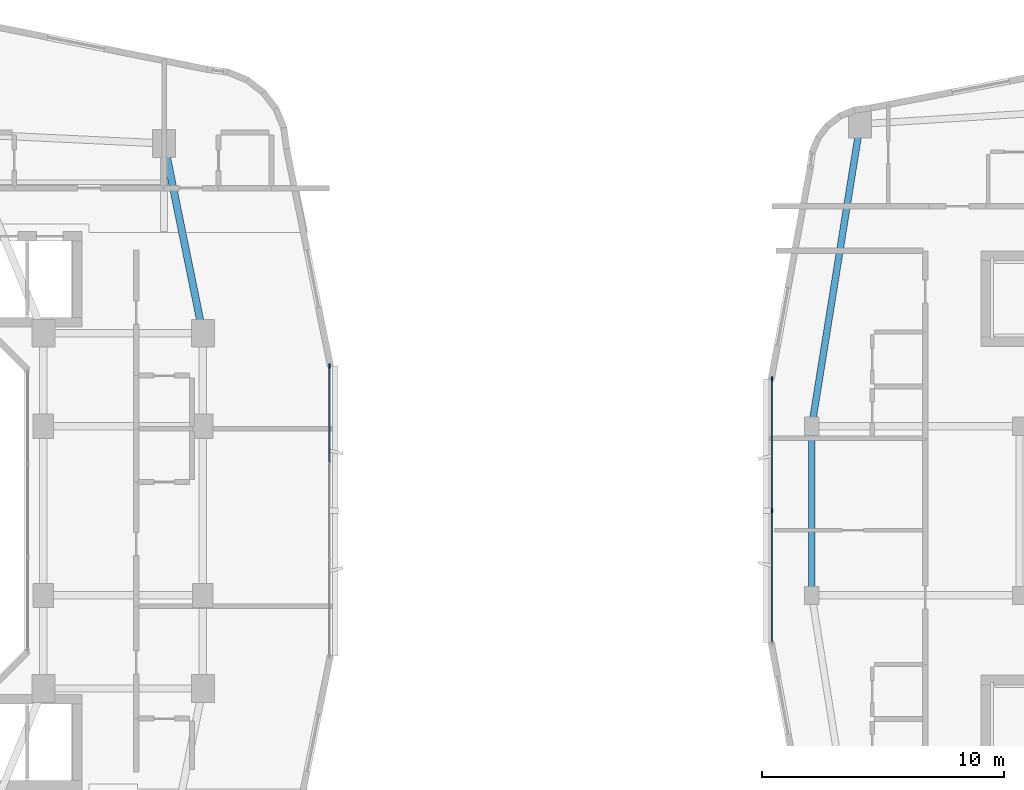
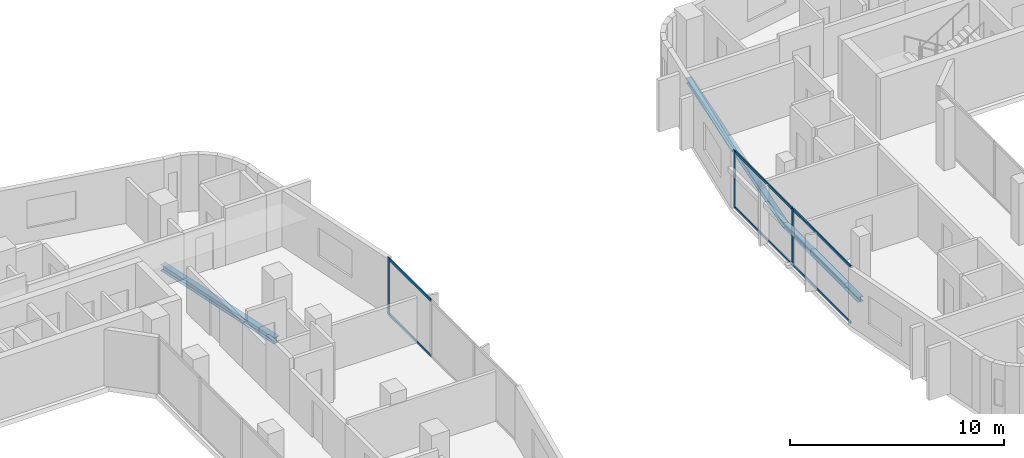
# One storey, part 6 of 26: 9 members, 3 beams, 2 elements without a shape of their own.
"""IFC4 building model written with IfcOpenShell, lengths in metres."""

from ifc_helpers import new_model, si_unit, derived_unit, direction, frame, origin, origin_2d, place, context, subcontext, project, spatial, rectangle, i_section, extrude, material, layer, layer_set, material_profile, profile_set, type_object, element, aggregate, save


model = new_model("IFC4")

# Units and contexts
model_context = context("Model", 3, precision=1e-05, world=origin(), true_north=direction((0.0, 1.0)))
body_context = subcontext(model_context, "Body", "Model", "MODEL_VIEW")
ifc_project = project(units=[si_unit("LENGTHUNIT", "METRE"), si_unit("AREAUNIT", "SQUARE_METRE"), si_unit("VOLUMEUNIT", "CUBIC_METRE"), si_unit("PLANEANGLEUNIT", "RADIAN"), si_unit("MASSUNIT", "GRAM", prefix="KILO"), derived_unit("THERMALTRANSMITTANCEUNIT", [(si_unit("POWERUNIT", "WATT"), 1), (si_unit("LENGTHUNIT", "METRE"), -2), (si_unit("THERMODYNAMICTEMPERATUREUNIT", "KELVIN"), -1)])], contexts=[model_context])

# Site, building, storey
site_placement = place(None, origin())
site = spatial("IfcSite", under=ifc_project, at=site_placement, CompositionType="ELEMENT")
building_placement = place(site_placement, origin())
building = spatial("IfcBuilding", under=site, at=building_placement, Name="Kivonza Crest Hotel", CompositionType="ELEMENT")
storey_placement = place(building_placement, frame((0.0, 0.0, 105.5)))
storey = spatial("IfcBuildingStorey", under=building, at=storey_placement, Name="L28", CompositionType="ELEMENT", Elevation=105.5)

# Beams
ifc_material_1 = material(Name="Steel S355", Category="steel")
ifc_material_profile_1 = material_profile(ifc_material_1, i_section(OverallWidth=0.280029296875, OverallDepth=0.280029296875, WebThickness=0.010498046875, FlangeThickness=0.01806640625, FilletRadius=0.02392578125, at=origin_2d()), Name="HEB 280")
ifc_profile_set_1 = profile_set([ifc_material_profile_1], Name="Steel S355")
beam_type_1 = type_object("IfcBeamType", Name="BM-HEB280", PredefinedType="SPANDREL", material=ifc_profile_set_1)
beam_1_placement = place(storey_placement, frame((63.0, 41.0, -0.389892578125), z_axis=(-0.157990501107, -0.987440631917, 0.0), x_axis=(0.987440631917, -0.157990501107, 0.0)))
element("IfcBeam", 1, at=beam_1_placement, inside=storey, type_object=beam_type_1, Name="Companion Tower T2 L28 perimeter spandrel NW-W2", PredefinedType="SPANDREL", context=body_context, shape_type="SweptSolid", body=[
    extrude(i_section(OverallWidth=0.280029296875, OverallDepth=0.280029296875, WebThickness=0.010498046875, FlangeThickness=0.01806640625, FilletRadius=0.02392578125, at=origin_2d()), origin(), (0.0, 0.0, 1.0), 12.658935546875),
])
beam_2_placement = place(storey_placement, frame((61.0, 28.5, -0.389892578125), z_axis=(0.0, -1.0, 0.0), x_axis=(1.0, 0.0, 0.0)))
element("IfcBeam", 2, at=beam_2_placement, inside=storey, type_object=beam_type_1, Name="Companion Tower T2 L28 perimeter spandrel W2-W1", PredefinedType="SPANDREL", context=body_context, shape_type="SweptSolid", body=[
    extrude(i_section(OverallWidth=0.280029296875, OverallDepth=0.280029296875, WebThickness=0.010498046875, FlangeThickness=0.01806640625, FilletRadius=0.02392578125, at=origin_2d()), origin(), (0.0, 0.0, 1.0), 7.0),
])
ifc_material_profile_2 = material_profile(ifc_material_1, i_section(OverallWidth=0.300048828125, OverallDepth=0.360107421875, WebThickness=0.012451171875, FlangeThickness=0.0224609375, FilletRadius=0.027099609375, at=origin_2d()), Name="HEB 360")
ifc_profile_set_2 = profile_set([ifc_material_profile_2], Name="Steel S355")
beam_type_2 = type_object("IfcBeamType", Name="BM-HEB360", PredefinedType="SPANDREL", material=ifc_profile_set_2)
beam_3_placement = place(storey_placement, frame((35.800048828125, 32.35009765625, -0.4599609375), z_axis=(-0.199730733965, 0.979850822273, 0.0), x_axis=(-0.979850822273, -0.199730733965, 0.0)))
element("IfcBeam", 3, at=beam_3_placement, inside=storey, type_object=beam_type_2, Name="Tower T1 L28 perimeter spandrel PNE-NE", PredefinedType="SPANDREL", context=body_context, shape_type="SweptSolid", body=[
    extrude(i_section(OverallWidth=0.300048828125, OverallDepth=0.360107421875, WebThickness=0.012451171875, FlangeThickness=0.0224609375, FilletRadius=0.027099609375, at=origin_2d()), origin(), (0.0, 0.0, 1.0), 8.01123046875),
])

# Curtain wall, member
ifc_material_2 = material(Name="Anodised bronze aluminium and low-E double glazing", Category="aluminium")
ifc_layer_1 = layer(ifc_material_2, 0.179931640625)
ifc_layer_set_1 = layer_set([ifc_layer_1], Name="Anodised bronze aluminium and low-E double glazing")
curtain_wall_type_1 = type_object("IfcCurtainWallType", Name="CW-SYS-2", PredefinedType="NOTDEFINED", material=ifc_layer_set_1)
curtain_wall_1_placement = place(storey_placement, origin())
curtain_wall_1 = element("IfcCurtainWall", 4, at=curtain_wall_1_placement, inside=storey, type_object=curtain_wall_type_1, Name="L28 unitised curtain wall CW-T1-L28-17", PredefinedType="NOTDEFINED")
ifc_material_3 = material(Name="Anodised bronze aluminium", Category="aluminium")
ifc_material_profile_3 = material_profile(ifc_material_3, rectangle(XDim=0.06494140625, YDim=0.179931640625, at=origin_2d()), Name="CW-M 65x180")
ifc_profile_set_3 = profile_set([ifc_material_profile_3], Name="Anodised bronze aluminium")
member_type_1 = type_object("IfcMemberType", Name="CW-MUL-65x180", PredefinedType="MULLION", material=ifc_profile_set_3)
member_1_placement = place(storey_placement, frame((41.0400390625, 30.987548828125, 0.0), z_axis=(0.0, 0.0, 1.0), x_axis=(-1.0, 0.0, 0.0)))
member_1 = element("IfcMember", 5, at=member_1_placement, type_object=member_type_1, Name="CW-2 mullion 4", PredefinedType="MULLION", context=body_context, shape_type="SweptSolid", body=[
    extrude(rectangle(XDim=0.06494140625, YDim=0.179931640625, at=origin_2d()), origin(), (0.0, 0.0, 1.0), 3.219970703125),
])

# Curtain wall, members
ifc_layer_2 = layer(ifc_material_2, 0.179931640625)
ifc_layer_set_2 = layer_set([ifc_layer_2], Name="Anodised bronze aluminium and low-E double glazing")
curtain_wall_type_2 = type_object("IfcCurtainWallType", Name="CW-SYS-4", PredefinedType="NOTDEFINED", material=ifc_layer_set_2)
curtain_wall_2_placement = place(storey_placement, origin())
curtain_wall_2 = element("IfcCurtainWall", 6, at=curtain_wall_2_placement, inside=storey, type_object=curtain_wall_type_2, Name="L28 unitised curtain wall CW-T2-L28-35", PredefinedType="NOTDEFINED")
member_2_placement = place(storey_placement, frame((59.360107421875, 30.447509765625, 0.0), z_axis=(0.0, 0.0, 1.0), x_axis=(1.0, 0.0, 0.0)))
member_2 = element("IfcMember", 7, at=member_2_placement, type_object=member_type_1, Name="CW-4 mullion 1", PredefinedType="MULLION", context=body_context, shape_type="SweptSolid", body=[
    extrude(rectangle(XDim=0.06494140625, YDim=0.179931640625, at=origin_2d()), origin(), (0.0, 0.0, 1.0), 3.25),
])
member_3_placement = place(storey_placement, frame((59.360107421875, 25.0, 0.0), z_axis=(0.0, 0.0, 1.0), x_axis=(1.0, 0.0, 0.0)))
member_3 = element("IfcMember", 8, at=member_3_placement, type_object=member_type_1, Name="CW-4 mullion 2", PredefinedType="MULLION", context=body_context, shape_type="SweptSolid", body=[
    extrude(rectangle(XDim=0.06494140625, YDim=0.179931640625, at=origin_2d()), origin(), (0.0, 0.0, 1.0), 3.25),
])

# Member
ifc_material_profile_4 = material_profile(ifc_material_3, rectangle(XDim=0.06494140625, YDim=0.139892578125, at=origin_2d()), Name="CW-T 65x140")
ifc_profile_set_4 = profile_set([ifc_material_profile_4], Name="Anodised bronze aluminium")
member_type_2 = type_object("IfcMemberType", Name="CW-TRN-65x140", PredefinedType="USERDEFINED", material=ifc_profile_set_4)
member_4_placement = place(storey_placement, frame((41.0400390625, 27.0390625, 0.032470703125), z_axis=(0.0, 1.0, 0.0), x_axis=(-1.0, 0.0, 0.0)))
member_4 = element("IfcMember", 9, at=member_4_placement, type_object=member_type_2, Name="CW-2 transom 3.1", ObjectType="TRANSOM", PredefinedType="USERDEFINED", context=body_context, shape_type="SweptSolid", body=[
    extrude(rectangle(XDim=0.06494140625, YDim=0.139892578125, at=origin_2d()), origin(), (0.0, 0.0, 1.0), 3.916015625),
])

member_5_placement = place(storey_placement, frame((41.0400390625, 27.0390625, 3.1875), z_axis=(0.0, 1.0, 0.0), x_axis=(-1.0, 0.0, 0.0)))
member_5 = element("IfcMember", 10, at=member_5_placement, type_object=member_type_2, Name="CW-2 transom 3.2", ObjectType="TRANSOM", PredefinedType="USERDEFINED", context=body_context, shape_type="SweptSolid", body=[
    extrude(rectangle(XDim=0.06494140625, YDim=0.139892578125, at=origin_2d()), origin(), (0.0, 0.0, 1.0), 3.916015625),
])

aggregate(curtain_wall_1, [member_1, member_4, member_5])

member_6_placement = place(storey_placement, frame((59.360107421875, 30.4150390625, 0.032470703125), z_axis=(0.0, -1.0, 0.0), x_axis=(1.0, 0.0, 0.0)))
member_6 = element("IfcMember", 11, at=member_6_placement, type_object=member_type_2, Name="CW-4 transom 1.1", ObjectType="TRANSOM", PredefinedType="USERDEFINED", context=body_context, shape_type="SweptSolid", body=[
    extrude(rectangle(XDim=0.06494140625, YDim=0.139892578125, at=origin_2d()), origin(), (0.0, 0.0, 1.0), 5.382568359375),
])

member_7_placement = place(storey_placement, frame((59.360107421875, 30.4150390625, 3.217529296875), z_axis=(0.0, -1.0, 0.0), x_axis=(1.0, 0.0, 0.0)))
member_7 = element("IfcMember", 12, at=member_7_placement, type_object=member_type_2, Name="CW-4 transom 1.2", ObjectType="TRANSOM", PredefinedType="USERDEFINED", context=body_context, shape_type="SweptSolid", body=[
    extrude(rectangle(XDim=0.06494140625, YDim=0.139892578125, at=origin_2d()), origin(), (0.0, 0.0, 1.0), 5.382568359375),
])

member_8_placement = place(storey_placement, frame((59.360107421875, 24.967529296875, 0.032470703125), z_axis=(0.0, -1.0, 0.0), x_axis=(1.0, 0.0, 0.0)))
member_8 = element("IfcMember", 13, at=member_8_placement, type_object=member_type_2, Name="CW-4 transom 2.1", ObjectType="TRANSOM", PredefinedType="USERDEFINED", context=body_context, shape_type="SweptSolid", body=[
    extrude(rectangle(XDim=0.06494140625, YDim=0.139892578125, at=origin_2d()), origin(), (0.0, 0.0, 1.0), 5.382568359375),
])

member_9_placement = place(storey_placement, frame((59.360107421875, 24.967529296875, 3.217529296875), z_axis=(0.0, -1.0, 0.0), x_axis=(1.0, 0.0, 0.0)))
member_9 = element("IfcMember", 14, at=member_9_placement, type_object=member_type_2, Name="CW-4 transom 2.2", ObjectType="TRANSOM", PredefinedType="USERDEFINED", context=body_context, shape_type="SweptSolid", body=[
    extrude(rectangle(XDim=0.06494140625, YDim=0.139892578125, at=origin_2d()), origin(), (0.0, 0.0, 1.0), 5.382568359375),
])

aggregate(curtain_wall_2, [member_2, member_3, member_6, member_7, member_8, member_9])

save(model, "model.ifc")
